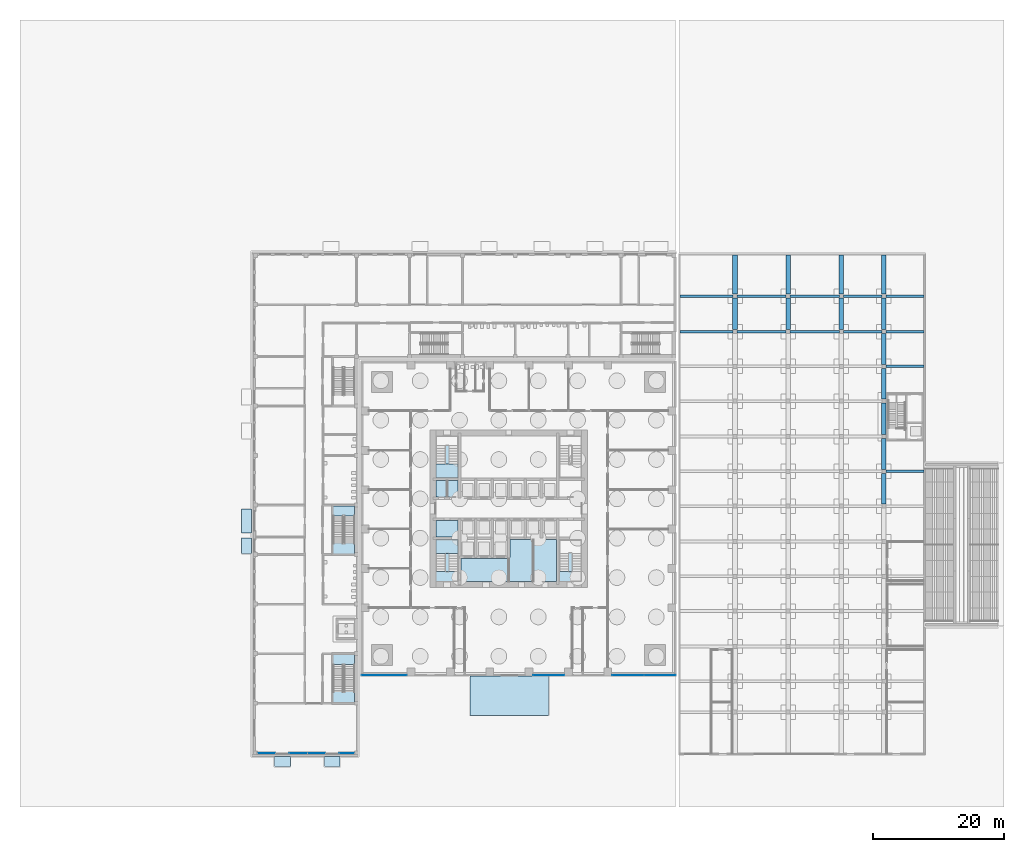
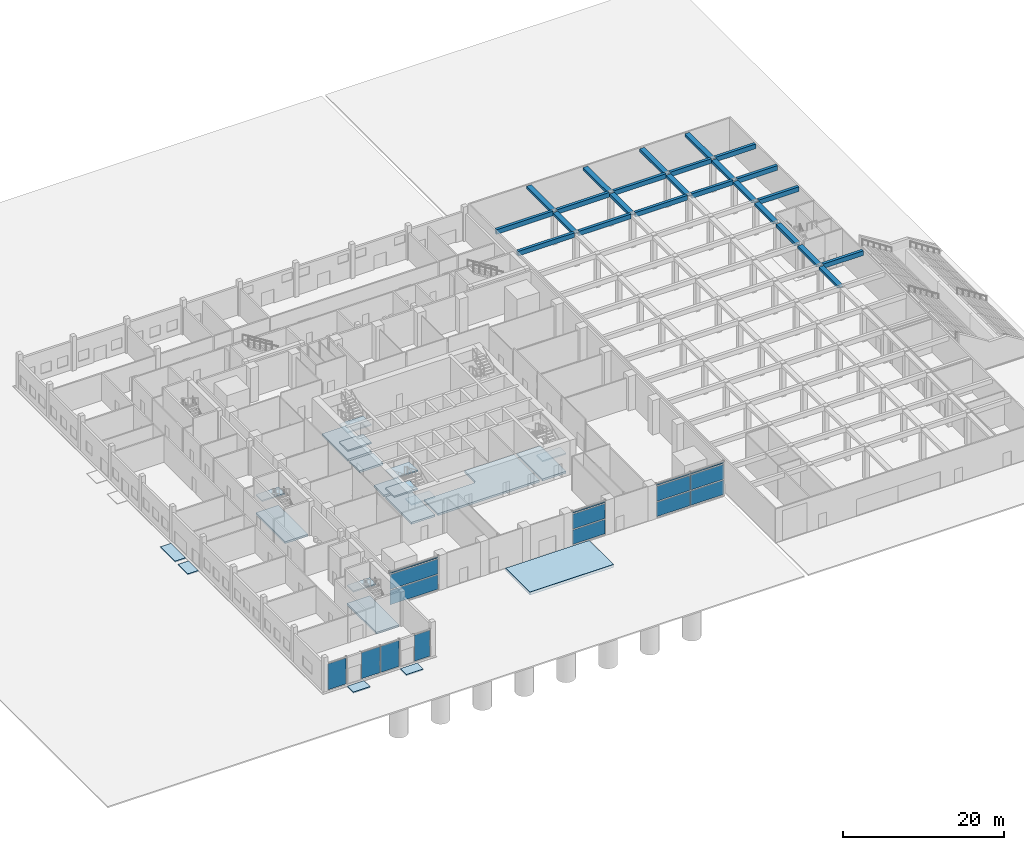
# One storey, part 7 of 33: 25 beams, 21 slabs, 16 plates, 11 elements without a shape of their own.
"""IFC4 building model written with IfcOpenShell, lengths in metres."""

from ifc_helpers import new_model, si_unit, direction, frame, origin, origin_2d, place, context, subcontext, project, spatial, polyline, rectangle, outline, extrude, material, layer, layer_set, material_profile, profile_set, type_object, element, aggregate, save


model = new_model("IFC4")

# Units and contexts
model_context = context("Model", 3, precision=1e-05, world=origin(), true_north=direction((0.0, 1.0)))
body_context = subcontext(model_context, "Body", "Model", "MODEL_VIEW")
ifc_project = project(units=[si_unit("LENGTHUNIT", "METRE"), si_unit("AREAUNIT", "SQUARE_METRE"), si_unit("VOLUMEUNIT", "CUBIC_METRE"), si_unit("PLANEANGLEUNIT", "RADIAN"), si_unit("MASSUNIT", "GRAM", prefix="KILO")], contexts=[model_context])

# Site, building, storey
site_placement = place(None, origin())
site = spatial("IfcSite", under=ifc_project, at=site_placement, CompositionType="ELEMENT")
building_placement = place(site_placement, origin())
building = spatial("IfcBuilding", under=site, at=building_placement, Name="Amberfall Residences", CompositionType="ELEMENT")
storey_placement = place(building_placement, origin())
storey = spatial("IfcBuildingStorey", under=building, at=storey_placement, Name="L00", CompositionType="ELEMENT", Elevation=0.0)

# Beams
ifc_material_1 = material(Name="Concrete C50", Category="concrete")
ifc_material_profile = material_profile(ifc_material_1, rectangle(XDim=0.39990234375, YDim=0.699951171875, at=origin_2d()), Name="RC 400x700")
ifc_profile_set = profile_set([ifc_material_profile], Name="Concrete C50")
beam_type = type_object("IfcBeamType", Name="Car park beam 400x700 C50", PredefinedType="BEAM", material=ifc_profile_set)
for number, where, z_axis, x_axis, name in (
    (1, (132.0, 51.199951171875, 4.72998046875), (1.0, 0.0, 0.0), (0.0, 1.0, 0.0), "Car park beam 400x700 C50 L00 040"),
    (2, (132.0, 67.199951171875, 4.72998046875), (1.0, 0.0, 0.0), (0.0, 1.0, 0.0), "Car park beam 400x700 C50 L00 053"),
):
    element("IfcBeam", number, at=place(storey_placement, frame(where, z_axis=z_axis, x_axis=x_axis)), inside=storey, type_object=beam_type, Name=name, PredefinedType="BEAM", context=body_context, shape_type="SweptSolid", body=[
        extrude(rectangle(XDim=0.39990234375, YDim=0.699951171875, at=origin_2d()), origin(), (0.0, 0.0, 1.0), 5.800048828125),
    ])
beam_1_placement = place(storey_placement, frame((100.60009765625, 72.5, 4.72998046875), z_axis=(1.0, 0.0, 0.0), x_axis=(0.0, 1.0, 0.0)))
element("IfcBeam", 3, at=beam_1_placement, inside=storey, type_object=beam_type, Name="Car park beam 400x700 C50 L00 054", PredefinedType="BEAM", context=body_context, shape_type="SweptSolid", body=[
    extrude(rectangle(XDim=0.39990234375, YDim=0.699951171875, at=origin_2d()), origin(), (0.0, 0.0, 1.0), 8.099853515625),
])
for number, where, z_axis, x_axis, name in (
    (4, (109.300048828125, 72.5, 4.72998046875), (1.0, 0.0, 0.0), (0.0, 1.0, 0.0), "Car park beam 400x700 C50 L00 055"),
    (5, (117.39990234375, 72.5, 4.72998046875), (1.0, 0.0, 0.0), (0.0, 1.0, 0.0), "Car park beam 400x700 C50 L00 056"),
):
    element("IfcBeam", number, at=place(storey_placement, frame(where, z_axis=z_axis, x_axis=x_axis)), inside=storey, type_object=beam_type, Name=name, PredefinedType="BEAM", context=body_context, shape_type="SweptSolid", body=[
        extrude(rectangle(XDim=0.39990234375, YDim=0.699951171875, at=origin_2d()), origin(), (0.0, 0.0, 1.0), 7.5),
    ])
beam_2_placement = place(storey_placement, frame((125.5, 72.5, 4.72998046875), z_axis=(1.0, 0.0, 0.0), x_axis=(0.0, 1.0, 0.0)))
element("IfcBeam", 6, at=beam_2_placement, inside=storey, type_object=beam_type, Name="Car park beam 400x700 C50 L00 057", PredefinedType="BEAM", context=body_context, shape_type="SweptSolid", body=[
    extrude(rectangle(XDim=0.39990234375, YDim=0.699951171875, at=origin_2d()), origin(), (0.0, 0.0, 1.0), 5.89990234375),
])
beam_3_placement = place(storey_placement, frame((132.0, 72.5, 4.72998046875), z_axis=(1.0, 0.0, 0.0), x_axis=(0.0, 1.0, 0.0)))
element("IfcBeam", 7, at=beam_3_placement, inside=storey, type_object=beam_type, Name="Car park beam 400x700 C50 L00 058", PredefinedType="BEAM", context=body_context, shape_type="SweptSolid", body=[
    extrude(rectangle(XDim=0.39990234375, YDim=0.699951171875, at=origin_2d()), origin(), (0.0, 0.0, 1.0), 5.800048828125),
])
beam_4_placement = place(storey_placement, frame((100.60009765625, 77.89990234375, 4.72998046875), z_axis=(1.0, 0.0, 0.0), x_axis=(0.0, 1.0, 0.0)))
element("IfcBeam", 8, at=beam_4_placement, inside=storey, type_object=beam_type, Name="Car park beam 400x700 C50 L00 059", PredefinedType="BEAM", context=body_context, shape_type="SweptSolid", body=[
    extrude(rectangle(XDim=0.39990234375, YDim=0.699951171875, at=origin_2d()), origin(), (0.0, 0.0, 1.0), 8.099853515625),
])
for number, where, z_axis, x_axis, name in (
    (9, (109.300048828125, 77.89990234375, 4.72998046875), (1.0, 0.0, 0.0), (0.0, 1.0, 0.0), "Car park beam 400x700 C50 L00 060"),
    (10, (117.39990234375, 77.89990234375, 4.72998046875), (1.0, 0.0, 0.0), (0.0, 1.0, 0.0), "Car park beam 400x700 C50 L00 061"),
):
    element("IfcBeam", number, at=place(storey_placement, frame(where, z_axis=z_axis, x_axis=x_axis)), inside=storey, type_object=beam_type, Name=name, PredefinedType="BEAM", context=body_context, shape_type="SweptSolid", body=[
        extrude(rectangle(XDim=0.39990234375, YDim=0.699951171875, at=origin_2d()), origin(), (0.0, 0.0, 1.0), 7.5),
    ])
beam_5_placement = place(storey_placement, frame((125.5, 77.89990234375, 4.72998046875), z_axis=(1.0, 0.0, 0.0), x_axis=(0.0, 1.0, 0.0)))
element("IfcBeam", 11, at=beam_5_placement, inside=storey, type_object=beam_type, Name="Car park beam 400x700 C50 L00 062", PredefinedType="BEAM", context=body_context, shape_type="SweptSolid", body=[
    extrude(rectangle(XDim=0.39990234375, YDim=0.699951171875, at=origin_2d()), origin(), (0.0, 0.0, 1.0), 5.89990234375),
])
beam_6_placement = place(storey_placement, frame((132.0, 77.89990234375, 4.72998046875), z_axis=(1.0, 0.0, 0.0), x_axis=(0.0, 1.0, 0.0)))
element("IfcBeam", 12, at=beam_6_placement, inside=storey, type_object=beam_type, Name="Car park beam 400x700 C50 L00 063", PredefinedType="BEAM", context=body_context, shape_type="SweptSolid", body=[
    extrude(rectangle(XDim=0.39990234375, YDim=0.699951171875, at=origin_2d()), origin(), (0.0, 0.0, 1.0), 5.800048828125),
])
beam_7_placement = place(storey_placement, frame((109.0, 72.800048828125, 4.72998046875), z_axis=(0.0, 1.0, 0.0), x_axis=(0.0, 0.0, 1.0)))
element("IfcBeam", 13, at=beam_7_placement, inside=storey, type_object=beam_type, Name="Car park beam 400x700 C50 L00 076", PredefinedType="BEAM", context=body_context, shape_type="SweptSolid", body=[
    extrude(rectangle(XDim=0.39990234375, YDim=0.699951171875, at=origin_2d()), origin(), (0.0, 0.0, 1.0), 4.800048828125),
])
beam_8_placement = place(storey_placement, frame((109.0, 78.199951171875, 4.72998046875), z_axis=(0.0, 1.0, 0.0), x_axis=(0.0, 0.0, 1.0)))
element("IfcBeam", 14, at=beam_8_placement, inside=storey, type_object=beam_type, Name="Car park beam 400x700 C50 L00 077", PredefinedType="BEAM", context=body_context, shape_type="SweptSolid", body=[
    extrude(rectangle(XDim=0.39990234375, YDim=0.699951171875, at=origin_2d()), origin(), (0.0, 0.0, 1.0), 6.0),
])
beam_9_placement = place(storey_placement, frame((117.10009765625, 72.800048828125, 4.72998046875), z_axis=(0.0, 1.0, 0.0), x_axis=(0.0, 0.0, 1.0)))
element("IfcBeam", 15, at=beam_9_placement, inside=storey, type_object=beam_type, Name="Car park beam 400x700 C50 L00 090", PredefinedType="BEAM", context=body_context, shape_type="SweptSolid", body=[
    extrude(rectangle(XDim=0.39990234375, YDim=0.699951171875, at=origin_2d()), origin(), (0.0, 0.0, 1.0), 4.800048828125),
])
beam_10_placement = place(storey_placement, frame((117.10009765625, 78.199951171875, 4.72998046875), z_axis=(0.0, 1.0, 0.0), x_axis=(0.0, 0.0, 1.0)))
element("IfcBeam", 16, at=beam_10_placement, inside=storey, type_object=beam_type, Name="Car park beam 400x700 C50 L00 091", PredefinedType="BEAM", context=body_context, shape_type="SweptSolid", body=[
    extrude(rectangle(XDim=0.39990234375, YDim=0.699951171875, at=origin_2d()), origin(), (0.0, 0.0, 1.0), 6.0),
])
beam_11_placement = place(storey_placement, frame((125.199951171875, 72.800048828125, 4.72998046875), z_axis=(0.0, 1.0, 0.0), x_axis=(0.0, 0.0, 1.0)))
element("IfcBeam", 17, at=beam_11_placement, inside=storey, type_object=beam_type, Name="Car park beam 400x700 C50 L00 104", PredefinedType="BEAM", context=body_context, shape_type="SweptSolid", body=[
    extrude(rectangle(XDim=0.39990234375, YDim=0.699951171875, at=origin_2d()), origin(), (0.0, 0.0, 1.0), 4.800048828125),
])
beam_12_placement = place(storey_placement, frame((125.199951171875, 78.199951171875, 4.72998046875), z_axis=(0.0, 1.0, 0.0), x_axis=(0.0, 0.0, 1.0)))
element("IfcBeam", 18, at=beam_12_placement, inside=storey, type_object=beam_type, Name="Car park beam 400x700 C50 L00 105", PredefinedType="BEAM", context=body_context, shape_type="SweptSolid", body=[
    extrude(rectangle(XDim=0.39990234375, YDim=0.699951171875, at=origin_2d()), origin(), (0.0, 0.0, 1.0), 6.0),
])
for number, where, z_axis, x_axis, name in (
    (19, (131.699951171875, 46.199951171875, 4.72998046875), (0.0, 1.0, 0.0), (0.0, 0.0, 1.0), "Car park beam 400x700 C50 L00 113"),
    (20, (131.699951171875, 51.5, 4.72998046875), (0.0, 1.0, 0.0), (0.0, 0.0, 1.0), "Car park beam 400x700 C50 L00 114"),
):
    element("IfcBeam", number, at=place(storey_placement, frame(where, z_axis=z_axis, x_axis=x_axis)), inside=storey, type_object=beam_type, Name=name, PredefinedType="BEAM", context=body_context, shape_type="SweptSolid", body=[
        extrude(rectangle(XDim=0.39990234375, YDim=0.699951171875, at=origin_2d()), origin(), (0.0, 0.0, 1.0), 4.699951171875),
    ])
beam_13_placement = place(storey_placement, frame((131.699951171875, 56.800048828125, 4.72998046875), z_axis=(0.0, 1.0, 0.0), x_axis=(0.0, 0.0, 1.0)))
element("IfcBeam", 21, at=beam_13_placement, inside=storey, type_object=beam_type, Name="Car park beam 400x700 C50 L00 115", PredefinedType="BEAM", context=body_context, shape_type="SweptSolid", body=[
    extrude(rectangle(XDim=0.39990234375, YDim=0.699951171875, at=origin_2d()), origin(), (0.0, 0.0, 1.0), 4.800048828125),
])
for number, where, z_axis, x_axis, name in (
    (22, (131.699951171875, 62.199951171875, 4.72998046875), (0.0, 1.0, 0.0), (0.0, 0.0, 1.0), "Car park beam 400x700 C50 L00 116"),
    (23, (131.699951171875, 67.5, 4.72998046875), (0.0, 1.0, 0.0), (0.0, 0.0, 1.0), "Car park beam 400x700 C50 L00 117"),
):
    element("IfcBeam", number, at=place(storey_placement, frame(where, z_axis=z_axis, x_axis=x_axis)), inside=storey, type_object=beam_type, Name=name, PredefinedType="BEAM", context=body_context, shape_type="SweptSolid", body=[
        extrude(rectangle(XDim=0.39990234375, YDim=0.699951171875, at=origin_2d()), origin(), (0.0, 0.0, 1.0), 4.699951171875),
    ])
beam_14_placement = place(storey_placement, frame((131.699951171875, 72.800048828125, 4.72998046875), z_axis=(0.0, 1.0, 0.0), x_axis=(0.0, 0.0, 1.0)))
element("IfcBeam", 24, at=beam_14_placement, inside=storey, type_object=beam_type, Name="Car park beam 400x700 C50 L00 118", PredefinedType="BEAM", context=body_context, shape_type="SweptSolid", body=[
    extrude(rectangle(XDim=0.39990234375, YDim=0.699951171875, at=origin_2d()), origin(), (0.0, 0.0, 1.0), 4.800048828125),
])
beam_15_placement = place(storey_placement, frame((131.699951171875, 78.199951171875, 4.72998046875), z_axis=(0.0, 1.0, 0.0), x_axis=(0.0, 0.0, 1.0)))
element("IfcBeam", 25, at=beam_15_placement, inside=storey, type_object=beam_type, Name="Car park beam 400x700 C50 L00 119", PredefinedType="BEAM", context=body_context, shape_type="SweptSolid", body=[
    extrude(rectangle(XDim=0.39990234375, YDim=0.699951171875, at=origin_2d()), origin(), (0.0, 0.0, 1.0), 6.0),
])

# Curtain wall, plates
ifc_material_2 = material(Name="Bronze anodised aluminium and glass", Category="aluminium")
curtain_wall_type = type_object("IfcCurtainWallType", Name="Curtain wall CW4 podium storefront", PredefinedType="USERDEFINED", material=ifc_material_2)
curtain_wall_1_placement = place(storey_placement, origin())
curtain_wall_1 = element("IfcCurtainWall", 26, at=curtain_wall_1_placement, inside=storey, type_object=curtain_wall_type, Name="Storefront L00 S1", ObjectType="UNITISED CURTAIN WALL", PredefinedType="USERDEFINED")
ifc_material_3 = material(Name="Clear toughened glazing", Category="glass")
ifc_layer_1 = layer(ifc_material_3, 0.028076171875)
ifc_layer_set_1 = layer_set([ifc_layer_1], Name="CW4 panel 28 glazing")
plate_type = type_object("IfcPlateType", Name="CW4 panel 28 glazing", PredefinedType="CURTAIN_PANEL", material=ifc_layer_set_1)
plate_1_placement = place(storey_placement, frame((55.5, 20.10009765625, 0.14990234375), z_axis=(0.0, 0.0, 1.0), x_axis=(1.0, 0.0, 0.0)))
plate_1 = element("IfcPlate", 27, at=plate_1_placement, type_object=plate_type, Name="CW4 panel 1.1", PredefinedType="CURTAIN_PANEL", context=body_context, shape_type="SweptSolid", body=[
    extrude(rectangle(XDim=6.860107421875, YDim=0.028076171875, at=origin_2d()), origin(), (0.0, 0.0, 1.0), 2.175048828125),
])
plate_2_placement = place(storey_placement, frame((55.5, 20.10009765625, 2.47509765625), z_axis=(0.0, 0.0, 1.0), x_axis=(1.0, 0.0, 0.0)))
plate_2 = element("IfcPlate", 28, at=plate_2_placement, type_object=plate_type, Name="CW4 panel 1.2", PredefinedType="CURTAIN_PANEL", context=body_context, shape_type="SweptSolid", body=[
    extrude(rectangle(XDim=6.860107421875, YDim=0.028076171875, at=origin_2d()), origin(), (0.0, 0.0, 1.0), 2.25),
])
plate_3_placement = place(storey_placement, frame((55.5, 20.10009765625, 4.875), z_axis=(0.0, 0.0, 1.0), x_axis=(1.0, 0.0, 0.0)))
plate_3 = element("IfcPlate", 29, at=plate_3_placement, type_object=plate_type, Name="CW4 panel 1.3", PredefinedType="CURTAIN_PANEL", context=body_context, shape_type="SweptSolid", body=[
    extrude(rectangle(XDim=6.860107421875, YDim=0.028076171875, at=origin_2d()), origin(), (0.0, 0.0, 1.0), 0.175048828125),
])
aggregate(curtain_wall_1, [plate_1, plate_2, plate_3])

curtain_wall_2_placement = place(storey_placement, origin())
curtain_wall_2 = element("IfcCurtainWall", 30, at=curtain_wall_2_placement, inside=storey, type_object=curtain_wall_type, Name="Storefront L00 S5", ObjectType="UNITISED CURTAIN WALL", PredefinedType="USERDEFINED")
plate_4_placement = place(storey_placement, frame((80.60009765625, 20.10009765625, 0.14990234375), z_axis=(0.0, 0.0, 1.0), x_axis=(1.0, 0.0, 0.0)))
plate_4 = element("IfcPlate", 31, at=plate_4_placement, type_object=plate_type, Name="CW4 panel 1.1", PredefinedType="CURTAIN_PANEL", context=body_context, shape_type="SweptSolid", body=[
    extrude(rectangle(XDim=4.659912109375, YDim=0.028076171875, at=origin_2d()), origin(), (0.0, 0.0, 1.0), 2.175048828125),
])
plate_5_placement = place(storey_placement, frame((80.60009765625, 20.10009765625, 2.47509765625), z_axis=(0.0, 0.0, 1.0), x_axis=(1.0, 0.0, 0.0)))
plate_5 = element("IfcPlate", 32, at=plate_5_placement, type_object=plate_type, Name="CW4 panel 1.2", PredefinedType="CURTAIN_PANEL", context=body_context, shape_type="SweptSolid", body=[
    extrude(rectangle(XDim=4.659912109375, YDim=0.028076171875, at=origin_2d()), origin(), (0.0, 0.0, 1.0), 2.25),
])
plate_6_placement = place(storey_placement, frame((80.60009765625, 20.10009765625, 4.875), z_axis=(0.0, 0.0, 1.0), x_axis=(1.0, 0.0, 0.0)))
plate_6 = element("IfcPlate", 33, at=plate_6_placement, type_object=plate_type, Name="CW4 panel 1.3", PredefinedType="CURTAIN_PANEL", context=body_context, shape_type="SweptSolid", body=[
    extrude(rectangle(XDim=4.659912109375, YDim=0.028076171875, at=origin_2d()), origin(), (0.0, 0.0, 1.0), 0.175048828125),
])
aggregate(curtain_wall_2, [plate_4, plate_5, plate_6])

curtain_wall_3_placement = place(storey_placement, origin())
curtain_wall_3 = element("IfcCurtainWall", 34, at=curtain_wall_3_placement, inside=storey, type_object=curtain_wall_type, Name="Storefront L00 S7", ObjectType="UNITISED CURTAIN WALL", PredefinedType="USERDEFINED")
plate_7_placement = place(storey_placement, frame((92.66748046875, 20.10009765625, 0.14990234375), z_axis=(0.0, 0.0, 1.0), x_axis=(1.0, 0.0, 0.0)))
plate_7 = element("IfcPlate", 35, at=plate_7_placement, type_object=plate_type, Name="CW4 panel 1.1", PredefinedType="CURTAIN_PANEL", context=body_context, shape_type="SweptSolid", body=[
    extrude(rectangle(XDim=4.794921875, YDim=0.028076171875, at=origin_2d()), origin(), (0.0, 0.0, 1.0), 2.175048828125),
])
plate_8_placement = place(storey_placement, frame((92.66748046875, 20.10009765625, 2.47509765625), z_axis=(0.0, 0.0, 1.0), x_axis=(1.0, 0.0, 0.0)))
plate_8 = element("IfcPlate", 36, at=plate_8_placement, type_object=plate_type, Name="CW4 panel 1.2", PredefinedType="CURTAIN_PANEL", context=body_context, shape_type="SweptSolid", body=[
    extrude(rectangle(XDim=4.794921875, YDim=0.028076171875, at=origin_2d()), origin(), (0.0, 0.0, 1.0), 2.25),
])
plate_9_placement = place(storey_placement, frame((92.66748046875, 20.10009765625, 4.875), z_axis=(0.0, 0.0, 1.0), x_axis=(1.0, 0.0, 0.0)))
plate_9 = element("IfcPlate", 37, at=plate_9_placement, type_object=plate_type, Name="CW4 panel 1.3", PredefinedType="CURTAIN_PANEL", context=body_context, shape_type="SweptSolid", body=[
    extrude(rectangle(XDim=4.794921875, YDim=0.028076171875, at=origin_2d()), origin(), (0.0, 0.0, 1.0), 0.175048828125),
])
plate_10_placement = place(storey_placement, frame((97.532470703125, 20.10009765625, 0.14990234375), z_axis=(0.0, 0.0, 1.0), x_axis=(1.0, 0.0, 0.0)))
plate_10 = element("IfcPlate", 38, at=plate_10_placement, type_object=plate_type, Name="CW4 panel 2.1", PredefinedType="CURTAIN_PANEL", context=body_context, shape_type="SweptSolid", body=[
    extrude(rectangle(XDim=4.794921875, YDim=0.028076171875, at=origin_2d()), origin(), (0.0, 0.0, 1.0), 2.175048828125),
])
plate_11_placement = place(storey_placement, frame((97.532470703125, 20.10009765625, 2.47509765625), z_axis=(0.0, 0.0, 1.0), x_axis=(1.0, 0.0, 0.0)))
plate_11 = element("IfcPlate", 39, at=plate_11_placement, type_object=plate_type, Name="CW4 panel 2.2", PredefinedType="CURTAIN_PANEL", context=body_context, shape_type="SweptSolid", body=[
    extrude(rectangle(XDim=4.794921875, YDim=0.028076171875, at=origin_2d()), origin(), (0.0, 0.0, 1.0), 2.25),
])
plate_12_placement = place(storey_placement, frame((97.532470703125, 20.10009765625, 4.875), z_axis=(0.0, 0.0, 1.0), x_axis=(1.0, 0.0, 0.0)))
plate_12 = element("IfcPlate", 40, at=plate_12_placement, type_object=plate_type, Name="CW4 panel 2.3", PredefinedType="CURTAIN_PANEL", context=body_context, shape_type="SweptSolid", body=[
    extrude(rectangle(XDim=4.794921875, YDim=0.028076171875, at=origin_2d()), origin(), (0.0, 0.0, 1.0), 0.175048828125),
])
aggregate(curtain_wall_3, [plate_7, plate_8, plate_9, plate_10, plate_11, plate_12])

# Curtain wall, plate
curtain_wall_4_placement = place(storey_placement, origin())
curtain_wall_4 = element("IfcCurtainWall", 41, at=curtain_wall_4_placement, inside=storey, type_object=curtain_wall_type, Name="School entrance glazing 1", ObjectType="UNITISED CURTAIN WALL", PredefinedType="USERDEFINED")
plate_13_placement = place(storey_placement, frame((37.60009765625, 8.2099609375, 0.0), z_axis=(0.0, 0.0, 1.0), x_axis=(1.0, 0.0, 0.0)))
plate_13 = element("IfcPlate", 42, at=plate_13_placement, type_object=plate_type, Name="CW4 panel 1.1", PredefinedType="CURTAIN_PANEL", context=body_context, shape_type="SweptSolid", body=[
    extrude(rectangle(XDim=2.635986328125, YDim=0.028076171875, at=origin_2d()), origin(), (0.0, 0.0, 1.0), 3.949951171875),
])
aggregate(curtain_wall_4, [plate_13])

# Curtain wall, plates
curtain_wall_5_placement = place(storey_placement, origin())
curtain_wall_5 = element("IfcCurtainWall", 43, at=curtain_wall_5_placement, inside=storey, type_object=curtain_wall_type, Name="School entrance glazing 2", ObjectType="UNITISED CURTAIN WALL", PredefinedType="USERDEFINED")
plate_14_placement = place(storey_placement, frame((42.41748046875, 8.2099609375, 0.0), z_axis=(0.0, 0.0, 1.0), x_axis=(1.0, 0.0, 0.0)))
plate_14 = element("IfcPlate", 44, at=plate_14_placement, type_object=plate_type, Name="CW4 panel 1.1", PredefinedType="CURTAIN_PANEL", context=body_context, shape_type="SweptSolid", body=[
    extrude(rectangle(XDim=2.6708984375, YDim=0.028076171875, at=origin_2d()), origin(), (0.0, 0.0, 1.0), 3.949951171875),
])
plate_15_placement = place(storey_placement, frame((45.1826171875, 8.2099609375, 0.0), z_axis=(0.0, 0.0, 1.0), x_axis=(1.0, 0.0, 0.0)))
plate_15 = element("IfcPlate", 45, at=plate_15_placement, type_object=plate_type, Name="CW4 panel 2.1", PredefinedType="CURTAIN_PANEL", context=body_context, shape_type="SweptSolid", body=[
    extrude(rectangle(XDim=2.6708984375, YDim=0.028076171875, at=origin_2d()), origin(), (0.0, 0.0, 1.0), 3.949951171875),
])
aggregate(curtain_wall_5, [plate_14, plate_15])

# Curtain wall, plate
curtain_wall_6_placement = place(storey_placement, origin())
curtain_wall_6 = element("IfcCurtainWall", 46, at=curtain_wall_6_placement, inside=storey, type_object=curtain_wall_type, Name="School entrance glazing 3", ObjectType="UNITISED CURTAIN WALL", PredefinedType="USERDEFINED")
plate_16_placement = place(storey_placement, frame((49.800048828125, 8.2099609375, 0.0), z_axis=(0.0, 0.0, 1.0), x_axis=(1.0, 0.0, 0.0)))
plate_16 = element("IfcPlate", 47, at=plate_16_placement, type_object=plate_type, Name="CW4 panel 1.1", PredefinedType="CURTAIN_PANEL", context=body_context, shape_type="SweptSolid", body=[
    extrude(rectangle(XDim=2.236083984375, YDim=0.028076171875, at=origin_2d()), origin(), (0.0, 0.0, 1.0), 3.949951171875),
])
aggregate(curtain_wall_6, [plate_16])

# Slabs
ifc_material_4 = material(Name="Granite paving on concrete bed C35", Category="masonry")
ifc_layer_2 = layer(ifc_material_4, 0.449951171875)
ifc_layer_set_2 = layer_set([ifc_layer_2], Name="Entrance apron 450")
slab_type_1 = type_object("IfcSlabType", Name="Entrance apron 450", PredefinedType="NOTDEFINED", material=ifc_layer_set_2)
slab_1_placement = place(storey_placement, frame((0.0, 0.0, -0.449951171875)))
element("IfcSlab", 48, at=slab_1_placement, inside=storey, type_object=slab_type_1, Name="Entrance apron", PredefinedType="NOTDEFINED", context=body_context, shape_type="SweptSolid", body=[
    extrude(outline(polyline([(68.60009765625, 14.0), (80.60009765625, 14.0), (80.60009765625, 20.0), (68.60009765625, 20.0), (68.60009765625, 14.0)])), origin(), (0.0, 0.0, 1.0), 0.449951171875),
])
ifc_material_5 = material(Name="Concrete C45", Category="concrete")
ifc_layer_3 = layer(ifc_material_5, 0.300048828125)
ifc_layer_set_3 = layer_set([ifc_layer_3], Name="Ground slab 300 C45")
slab_type_2 = type_object("IfcSlabType", Name="Ground slab 300 C45", PredefinedType="BASESLAB", material=ifc_layer_set_3)
slab_2_placement = place(storey_placement, frame((0.0, 0.0, -0.300048828125)))
element("IfcSlab", 49, at=slab_2_placement, inside=storey, type_object=slab_type_2, Name="Floor slab S1 L00 2", PredefinedType="BASESLAB", context=body_context, shape_type="SweptSolid", body=[
    extrude(outline(polyline([(66.800048828125, 40.800048828125), (66.800048828125, 34.39990234375), (63.39990234375, 34.39990234375), (63.39990234375, 40.800048828125), (66.800048828125, 40.800048828125)])), origin(), (0.0, 0.0, 1.0), 0.300048828125),
])
slab_3_placement = place(storey_placement, frame((0.0, 0.0, -0.300048828125)))
element("IfcSlab", 50, at=slab_3_placement, inside=storey, type_object=slab_type_2, Name="Floor slab S1 L00 3", PredefinedType="BASESLAB", context=body_context, shape_type="SweptSolid", body=[
    extrude(outline(polyline([(81.800048828125, 40.800048828125), (81.800048828125, 34.39990234375), (67.199951171875, 34.39990234375), (67.199951171875, 37.89990234375), (74.5, 37.89990234375), (74.5, 38.10009765625), (74.699951171875, 38.10009765625), (74.699951171875, 40.800048828125), (81.800048828125, 40.800048828125)])), origin(), (0.0, 0.0, 1.0), 0.300048828125),
])
slab_4_placement = place(storey_placement, frame((0.0, 0.0, -0.300048828125)))
element("IfcSlab", 51, at=slab_4_placement, inside=storey, type_object=slab_type_2, Name="Floor slab S1 L00 4", PredefinedType="BASESLAB", context=body_context, shape_type="SweptSolid", body=[
    extrude(outline(polyline([(82.199951171875, 40.800048828125), (85.60009765625, 40.800048828125), (85.60009765625, 34.39990234375), (82.199951171875, 34.39990234375), (82.199951171875, 40.800048828125)])), origin(), (0.0, 0.0, 1.0), 0.300048828125),
])
slab_5_placement = place(storey_placement, frame((0.0, 0.0, -0.300048828125)))
element("IfcSlab", 52, at=slab_5_placement, inside=storey, type_object=slab_type_2, Name="Floor slab S1 L00 5", PredefinedType="BASESLAB", context=body_context, shape_type="SweptSolid", body=[
    extrude(outline(polyline([(66.800048828125, 43.699951171875), (66.800048828125, 41.199951171875), (63.39990234375, 41.199951171875), (63.39990234375, 43.699951171875), (66.800048828125, 43.699951171875)])), origin(), (0.0, 0.0, 1.0), 0.300048828125),
])
slab_6_placement = place(storey_placement, frame((0.0, 0.0, -0.300048828125)))
element("IfcSlab", 53, at=slab_6_placement, inside=storey, type_object=slab_type_2, Name="Floor slab S1 L00 8", PredefinedType="BASESLAB", context=body_context, shape_type="SweptSolid", body=[
    extrude(outline(polyline([(66.800048828125, 49.800048828125), (66.800048828125, 47.300048828125), (63.39990234375, 47.300048828125), (63.39990234375, 49.800048828125), (66.800048828125, 49.800048828125)])), origin(), (0.0, 0.0, 1.0), 0.300048828125),
])
slab_7_placement = place(storey_placement, frame((0.0, 0.0, -0.300048828125)))
element("IfcSlab", 54, at=slab_7_placement, inside=storey, type_object=slab_type_2, Name="Floor slab S1 L00 10", PredefinedType="BASESLAB", context=body_context, shape_type="SweptSolid", body=[
    extrude(outline(polyline([(66.800048828125, 56.60009765625), (66.800048828125, 50.199951171875), (63.39990234375, 50.199951171875), (63.39990234375, 56.60009765625), (66.800048828125, 56.60009765625)])), origin(), (0.0, 0.0, 1.0), 0.300048828125),
])
ifc_material_6 = material(Name="Concrete C30", Category="concrete")
ifc_layer_4 = layer(ifc_material_6, 0.199951171875)
ifc_layer_set_4 = layer_set([ifc_layer_4], Name="School door landing 200")
slab_type_3 = type_object("IfcSlabType", Name="School door landing 200", PredefinedType="BASESLAB", material=ifc_layer_set_4)
slab_8_placement = place(storey_placement, frame((0.0, 0.0, -0.199951171875)))
element("IfcSlab", 55, at=slab_8_placement, inside=storey, type_object=slab_type_3, Name="School door landing", PredefinedType="BASESLAB", context=body_context, shape_type="SweptSolid", body=[
    extrude(outline(polyline([(38.800048828125, 6.199951171875), (41.199951171875, 6.199951171875), (41.199951171875, 7.699951171875), (38.800048828125, 7.699951171875), (38.800048828125, 6.199951171875)])), origin(), (0.0, 0.0, 1.0), 0.199951171875),
])
slab_9_placement = place(storey_placement, frame((0.0, 0.0, -0.199951171875)))
element("IfcSlab", 56, at=slab_9_placement, inside=storey, type_object=slab_type_3, Name="School door landing", PredefinedType="BASESLAB", context=body_context, shape_type="SweptSolid", body=[
    extrude(outline(polyline([(46.39990234375, 6.199951171875), (48.800048828125, 6.199951171875), (48.800048828125, 7.699951171875), (46.39990234375, 7.699951171875), (46.39990234375, 6.199951171875)])), origin(), (0.0, 0.0, 1.0), 0.199951171875),
])
slab_10_placement = place(storey_placement, frame((0.0, 0.0, -0.199951171875)))
element("IfcSlab", 57, at=slab_10_placement, inside=storey, type_object=slab_type_3, Name="School door landing", PredefinedType="BASESLAB", context=body_context, shape_type="SweptSolid", body=[
    extrude(outline(polyline([(33.800048828125, 38.64990234375), (35.300048828125, 38.64990234375), (35.300048828125, 41.050048828125), (33.800048828125, 41.050048828125), (33.800048828125, 38.64990234375)])), origin(), (0.0, 0.0, 1.0), 0.199951171875),
])
slab_11_placement = place(storey_placement, frame((0.0, 0.0, -0.199951171875)))
element("IfcSlab", 58, at=slab_11_placement, inside=storey, type_object=slab_type_3, Name="School door landing", PredefinedType="BASESLAB", context=body_context, shape_type="SweptSolid", body=[
    extrude(outline(polyline([(33.800048828125, 41.824951171875), (35.300048828125, 41.824951171875), (35.300048828125, 45.425048828125), (33.800048828125, 45.425048828125), (33.800048828125, 41.824951171875)])), origin(), (0.0, 0.0, 1.0), 0.199951171875),
])
ifc_material_7 = material(Name="Concrete C40", Category="concrete")
ifc_layer_5 = layer(ifc_material_7, 0.300048828125)
ifc_layer_set_5 = layer_set([ifc_layer_5], Name="School stair base slab 300 C40")
slab_type_4 = type_object("IfcSlabType", Name="School stair base slab 300 C40", PredefinedType="BASESLAB", material=ifc_layer_set_5)
slab_12_placement = place(storey_placement, frame((0.0, 0.0, -0.300048828125)))
element("IfcSlab", 59, at=slab_12_placement, inside=storey, type_object=slab_type_4, Name="School stair SS1 base slab", PredefinedType="BASESLAB", context=body_context, shape_type="SweptSolid", body=[
    extrude(outline(polyline([(47.75, 15.97509765625), (51.0, 15.97509765625), (51.0, 23.27490234375), (47.75, 23.27490234375), (47.75, 15.97509765625)])), origin(), (0.0, 0.0, 1.0), 0.300048828125),
])
slab_13_placement = place(storey_placement, frame((0.0, 0.0, -0.300048828125)))
element("IfcSlab", 60, at=slab_13_placement, inside=storey, type_object=slab_type_4, Name="School stair SS2 base slab", PredefinedType="BASESLAB", context=body_context, shape_type="SweptSolid", body=[
    extrude(outline(polyline([(47.75, 38.625), (51.0, 38.625), (51.0, 45.925048828125), (47.75, 45.925048828125), (47.75, 38.625)])), origin(), (0.0, 0.0, 1.0), 0.300048828125),
])

# Stair, slab
stair_type_1 = type_object("IfcStairType", Name="School stair", PredefinedType="HALF_TURN_STAIR", material=ifc_material_7)
stair_1_placement = place(storey_placement, origin())
stair_1 = element("IfcStair", 61, at=stair_1_placement, inside=storey, type_object=stair_type_1, Name="L00 Stair SS1", PredefinedType="HALF_TURN_STAIR")
ifc_layer_6 = layer(ifc_material_7, 0.199951171875)
ifc_layer_set_6 = layer_set([ifc_layer_6], Name="School stair landing")
slab_type_5 = type_object("IfcSlabType", Name="School stair landing", PredefinedType="LANDING", material=ifc_layer_set_6)
slab_14_placement = place(storey_placement, frame((0.0, 0.0, 2.550048828125)))
slab_14 = element("IfcSlab", 62, at=slab_14_placement, type_object=slab_type_5, Name="SS1 landing 1", PredefinedType="LANDING", context=body_context, shape_type="SweptSolid", body=[
    extrude(outline(polyline([(51.0, 21.72509765625), (51.0, 23.27490234375), (47.75, 23.27490234375), (47.75, 21.72509765625), (51.0, 21.72509765625)])), origin(), (0.0, 0.0, 1.0), 0.199951171875),
])
aggregate(stair_1, [slab_14])

stair_2_placement = place(storey_placement, origin())
stair_2 = element("IfcStair", 63, at=stair_2_placement, inside=storey, type_object=stair_type_1, Name="L00 Stair SS2", PredefinedType="HALF_TURN_STAIR")
slab_15_placement = place(storey_placement, frame((0.0, 0.0, 2.550048828125)))
slab_15 = element("IfcSlab", 64, at=slab_15_placement, type_object=slab_type_5, Name="SS2 landing 1", PredefinedType="LANDING", context=body_context, shape_type="SweptSolid", body=[
    extrude(outline(polyline([(51.0, 44.375), (51.0, 45.925048828125), (47.75, 45.925048828125), (47.75, 44.375), (51.0, 44.375)])), origin(), (0.0, 0.0, 1.0), 0.199951171875),
])
aggregate(stair_2, [slab_15])

# Stair, slabs
stair_type_2 = type_object("IfcStairType", Name="Exit stair 32 risers 171.9 mm", PredefinedType="HALF_TURN_STAIR", material=ifc_material_7)
stair_3_placement = place(storey_placement, origin())
stair_3 = element("IfcStair", 65, at=stair_3_placement, inside=storey, type_object=stair_type_2, Name="L00 Exit stair 1", PredefinedType="HALF_TURN_STAIR")
ifc_layer_7 = layer(ifc_material_7, 0.199951171875)
ifc_layer_set_7 = layer_set([ifc_layer_7], Name="Stair landing 200")
slab_type_6 = type_object("IfcSlabType", Name="Stair landing 200", PredefinedType="LANDING", material=ifc_layer_set_7)
slab_16_placement = place(storey_placement, frame((0.0, 0.0, 1.175048828125)))
slab_16 = element("IfcSlab", 66, at=slab_16_placement, type_object=slab_type_6, Name="ST1 landing 1", PredefinedType="LANDING", context=body_context, shape_type="SweptSolid", body=[
    extrude(outline(polyline([(66.800048828125, 38.699951171875), (66.800048828125, 40.800048828125), (63.39990234375, 40.800048828125), (63.39990234375, 38.699951171875), (66.800048828125, 38.699951171875)])), origin(), (0.0, 0.0, 1.0), 0.199951171875),
])
slab_17_placement = place(storey_placement, frame((0.0, 0.0, 2.550048828125)))
slab_17 = element("IfcSlab", 67, at=slab_17_placement, type_object=slab_type_6, Name="ST1 landing 2", PredefinedType="LANDING", context=body_context, shape_type="SweptSolid", body=[
    extrude(outline(polyline([(66.800048828125, 34.39990234375), (66.800048828125, 35.89990234375), (63.39990234375, 35.89990234375), (63.39990234375, 34.39990234375), (66.800048828125, 34.39990234375)])), origin(), (0.0, 0.0, 1.0), 0.199951171875),
])
slab_18_placement = place(storey_placement, frame((0.0, 0.0, 3.925048828125)))
slab_18 = element("IfcSlab", 68, at=slab_18_placement, type_object=slab_type_6, Name="ST1 landing 3", PredefinedType="LANDING", context=body_context, shape_type="SweptSolid", body=[
    extrude(outline(polyline([(66.800048828125, 38.699951171875), (66.800048828125, 40.800048828125), (63.39990234375, 40.800048828125), (63.39990234375, 38.699951171875), (66.800048828125, 38.699951171875)])), origin(), (0.0, 0.0, 1.0), 0.199951171875),
])
aggregate(stair_3, [slab_16, slab_17, slab_18])

# Stair, slab
stair_4_placement = place(storey_placement, origin())
stair_4 = element("IfcStair", 69, at=stair_4_placement, inside=storey, type_object=stair_type_2, Name="L00 Exit stair 2", PredefinedType="HALF_TURN_STAIR")
slab_19_placement = place(storey_placement, frame((0.0, 0.0, 2.550048828125)))
slab_19 = element("IfcSlab", 70, at=slab_19_placement, type_object=slab_type_6, Name="ST1 landing 2", PredefinedType="LANDING", context=body_context, shape_type="SweptSolid", body=[
    extrude(outline(polyline([(85.60009765625, 34.39990234375), (85.60009765625, 35.89990234375), (82.199951171875, 35.89990234375), (82.199951171875, 34.39990234375), (85.60009765625, 34.39990234375)])), origin(), (0.0, 0.0, 1.0), 0.199951171875),
])
aggregate(stair_4, [slab_19])

# Stair, slabs
stair_5_placement = place(storey_placement, origin())
stair_5 = element("IfcStair", 71, at=stair_5_placement, inside=storey, type_object=stair_type_2, Name="L00 Exit stair 4", PredefinedType="HALF_TURN_STAIR")
slab_20_placement = place(storey_placement, frame((0.0, 0.0, 1.175048828125)))
slab_20 = element("IfcSlab", 72, at=slab_20_placement, type_object=slab_type_6, Name="ST1 landing 1", PredefinedType="LANDING", context=body_context, shape_type="SweptSolid", body=[
    extrude(outline(polyline([(63.39990234375, 52.300048828125), (63.39990234375, 50.199951171875), (66.800048828125, 50.199951171875), (66.800048828125, 52.300048828125), (63.39990234375, 52.300048828125)])), origin(), (0.0, 0.0, 1.0), 0.199951171875),
])
slab_21_placement = place(storey_placement, frame((0.0, 0.0, 3.925048828125)))
slab_21 = element("IfcSlab", 73, at=slab_21_placement, type_object=slab_type_6, Name="ST1 landing 3", PredefinedType="LANDING", context=body_context, shape_type="SweptSolid", body=[
    extrude(outline(polyline([(63.39990234375, 52.300048828125), (63.39990234375, 50.199951171875), (66.800048828125, 50.199951171875), (66.800048828125, 52.300048828125), (63.39990234375, 52.300048828125)])), origin(), (0.0, 0.0, 1.0), 0.199951171875),
])
aggregate(stair_5, [slab_20, slab_21])

save(model, "model.ifc")
